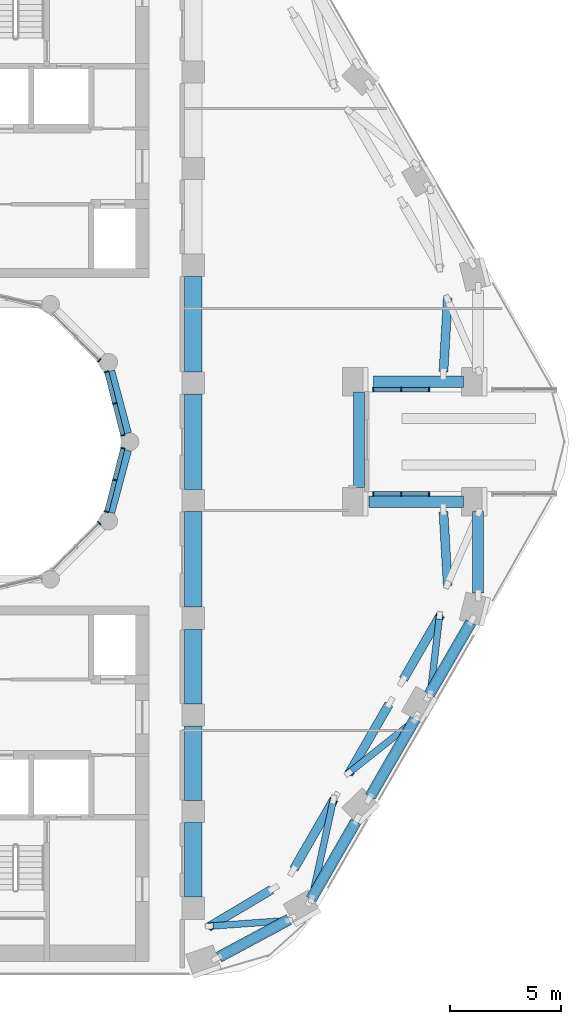
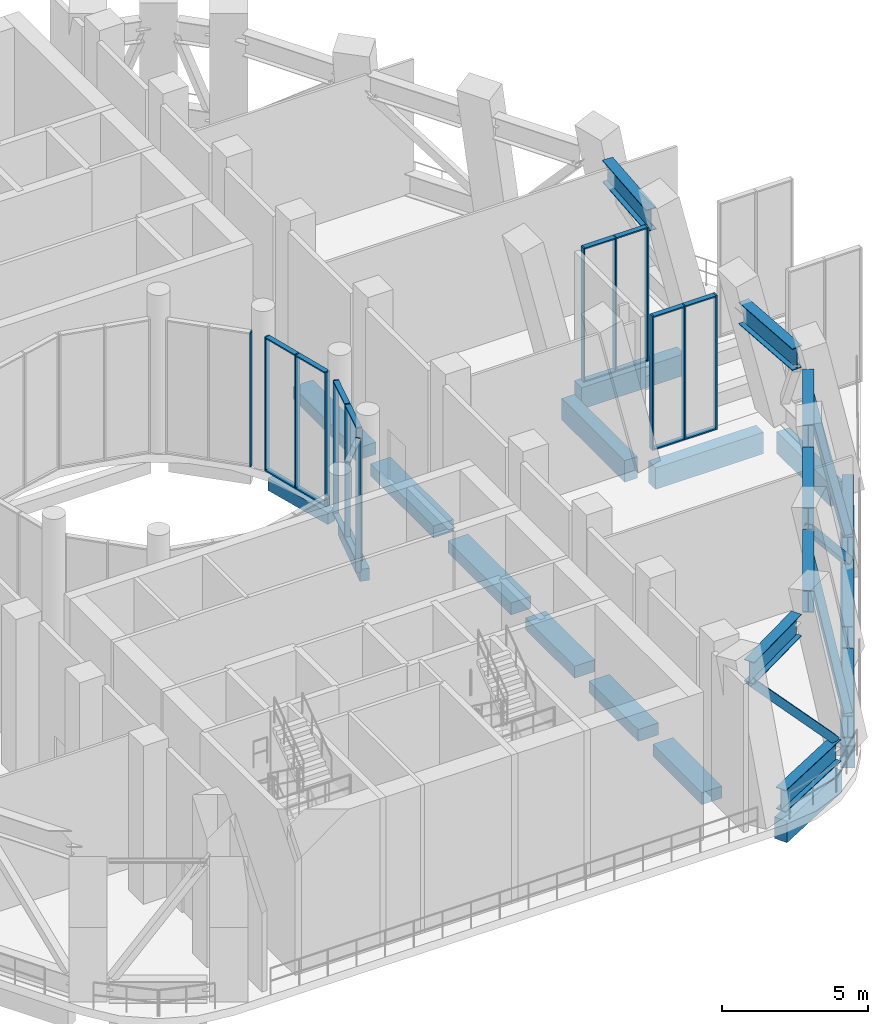
# One storey, part 4 of 19: 44 members, 16 beams, 6 elements without a shape of their own.
"""IFC4 building model written with IfcOpenShell, lengths in metres."""

from ifc_helpers import new_model, si_unit, direction, frame, origin, origin_2d, place, context, subcontext, project, spatial, rectangle, hollow_rectangle, i_section, extrude, material, layer, layer_set, material_profile, profile_set, type_object, element, aggregate, save


model = new_model("IFC4")

# Units and contexts
model_context = context("Model", 3, precision=1e-05, world=origin(), true_north=direction((0.0, 1.0)))
body_context = subcontext(model_context, "Body", "Model", "MODEL_VIEW")
ifc_project = project(units=[si_unit("LENGTHUNIT", "METRE"), si_unit("AREAUNIT", "SQUARE_METRE"), si_unit("VOLUMEUNIT", "CUBIC_METRE"), si_unit("PLANEANGLEUNIT", "RADIAN"), si_unit("MASSUNIT", "GRAM", prefix="KILO")], contexts=[model_context])

# Site, building, storey
site_placement = place(None, origin())
site = spatial("IfcSite", under=ifc_project, at=site_placement, CompositionType="ELEMENT")
building_placement = place(site_placement, origin())
building = spatial("IfcBuilding", under=site, at=building_placement, Name="Nakaniwa Court", CompositionType="ELEMENT")
storey_placement = place(building_placement, frame((0.0, 0.0, 170.10009765625)))
storey = spatial("IfcBuildingStorey", under=building, at=storey_placement, Name="S3", CompositionType="ELEMENT", Elevation=170.10009765625)

# Curtain wall, members
ifc_material_1 = material(Name="Black anodised aluminium frame with dark low-E laminated double glazing", Category="aluminium")
ifc_layer = layer(ifc_material_1, 0.199951171875)
ifc_layer_set = layer_set([ifc_layer], Name="Black anodised aluminium frame with dark low-E laminated double glazing")
curtain_wall_type = type_object("IfcCurtainWallType", Name="Amenity and sky level curtain wall", PredefinedType="NOTDEFINED", material=ifc_layer_set)
curtain_wall_1_placement = place(storey_placement, origin())
curtain_wall_1 = element("IfcCurtainWall", 1, at=curtain_wall_1_placement, inside=storey, type_object=curtain_wall_type, Name="S3 curtain wall CW3 36", PredefinedType="NOTDEFINED")
ifc_material_2 = material(Name="Black anodised aluminium extrusion", Category="aluminium")
ifc_material_profile_1 = material_profile(ifc_material_2, rectangle(XDim=0.199951171875, YDim=0.054931640625, at=origin_2d()), Name="Amenity and sky level curtain wall mullion 55x200")
ifc_profile_set_1 = profile_set([ifc_material_profile_1], Name="Black anodised aluminium extrusion")
member_type_1 = type_object("IfcMemberType", Name="Amenity and sky level curtain wall mullion 55x200", PredefinedType="MULLION", material=ifc_profile_set_1)
member_1_placement = place(storey_placement, frame((86.829345703125, 79.70947265625, 0.0), z_axis=(0.0, 0.0, 1.0), x_axis=(0.968986463302, -0.247113807661, 0.0)))
member_1 = element("IfcMember", 2, at=member_1_placement, type_object=member_type_1, Name="CW3 mullion 1", PredefinedType="MULLION", context=body_context, shape_type="SweptSolid", body=[
    extrude(rectangle(XDim=0.199951171875, YDim=0.054931640625, at=origin_2d()), origin(), (0.0, 0.0, 1.0), 5.58984375),
])
member_2_placement = place(storey_placement, frame((86.46435546875, 78.27783203125, 0.0), z_axis=(0.0, 0.0, 1.0), x_axis=(0.968986463302, -0.247113807661, 0.0)))
member_2 = element("IfcMember", 3, at=member_2_placement, type_object=member_type_1, Name="CW3 mullion 2", PredefinedType="MULLION", context=body_context, shape_type="SweptSolid", body=[
    extrude(rectangle(XDim=0.199951171875, YDim=0.054931640625, at=origin_2d()), origin(), (0.0, 0.0, 1.0), 5.58984375),
])
member_3_placement = place(storey_placement, frame((86.09912109375, 76.84619140625, 0.0), z_axis=(0.0, 0.0, 1.0), x_axis=(0.968986463302, -0.247113807661, 0.0)))
member_3 = element("IfcMember", 4, at=member_3_placement, type_object=member_type_1, Name="CW3 mullion 3", PredefinedType="MULLION", context=body_context, shape_type="SweptSolid", body=[
    extrude(rectangle(XDim=0.199951171875, YDim=0.054931640625, at=origin_2d()), origin(), (0.0, 0.0, 1.0), 5.58984375),
])

# Curtain wall, member
curtain_wall_2_placement = place(storey_placement, origin())
curtain_wall_2 = element("IfcCurtainWall", 5, at=curtain_wall_2_placement, inside=storey, type_object=curtain_wall_type, Name="S3 curtain wall CW3 37", PredefinedType="NOTDEFINED")
member_4_placement = place(storey_placement, frame((85.7685546875, 76.33740234375, 0.0), z_axis=(0.0, 0.0, 1.0), x_axis=(0.707106781187, -0.707106781187, 0.0)))
member_4 = element("IfcMember", 6, at=member_4_placement, type_object=member_type_1, Name="CW3 mullion 1", PredefinedType="MULLION", context=body_context, shape_type="SweptSolid", body=[
    extrude(rectangle(XDim=0.199951171875, YDim=0.054931640625, at=origin_2d()), origin(), (0.0, 0.0, 1.0), 5.58984375),
])
aggregate(curtain_wall_2, [member_4])

curtain_wall_3_placement = place(storey_placement, origin())
curtain_wall_3 = element("IfcCurtainWall", 7, at=curtain_wall_3_placement, inside=storey, type_object=curtain_wall_type, Name="S3 curtain wall CW3 46", PredefinedType="NOTDEFINED")
member_5_placement = place(storey_placement, frame((85.7685546875, 83.66259765625, 0.0), z_axis=(0.0, 0.0, 1.0), x_axis=(0.707106781187, 0.707106781187, 0.0)))
member_5 = element("IfcMember", 8, at=member_5_placement, type_object=member_type_1, Name="CW3 mullion 3", PredefinedType="MULLION", context=body_context, shape_type="SweptSolid", body=[
    extrude(rectangle(XDim=0.199951171875, YDim=0.054931640625, at=origin_2d()), origin(), (0.0, 0.0, 1.0), 5.58984375),
])
aggregate(curtain_wall_3, [member_5])

# Curtain wall, members
curtain_wall_4_placement = place(storey_placement, origin())
curtain_wall_4 = element("IfcCurtainWall", 9, at=curtain_wall_4_placement, inside=storey, type_object=curtain_wall_type, Name="S3 curtain wall CW3 47", PredefinedType="NOTDEFINED")
member_6_placement = place(storey_placement, frame((86.09912109375, 83.15380859375, 0.0), z_axis=(0.0, 0.0, 1.0), x_axis=(0.968986463302, 0.247113807661, 0.0)))
member_6 = element("IfcMember", 10, at=member_6_placement, type_object=member_type_1, Name="CW3 mullion 1", PredefinedType="MULLION", context=body_context, shape_type="SweptSolid", body=[
    extrude(rectangle(XDim=0.199951171875, YDim=0.054931640625, at=origin_2d()), origin(), (0.0, 0.0, 1.0), 5.58984375),
])
member_7_placement = place(storey_placement, frame((86.46435546875, 81.72216796875, 0.0), z_axis=(0.0, 0.0, 1.0), x_axis=(0.968986463302, 0.247113807661, 0.0)))
member_7 = element("IfcMember", 11, at=member_7_placement, type_object=member_type_1, Name="CW3 mullion 2", PredefinedType="MULLION", context=body_context, shape_type="SweptSolid", body=[
    extrude(rectangle(XDim=0.199951171875, YDim=0.054931640625, at=origin_2d()), origin(), (0.0, 0.0, 1.0), 5.58984375),
])
member_8_placement = place(storey_placement, frame((86.829345703125, 80.29052734375, 0.0), z_axis=(0.0, 0.0, 1.0), x_axis=(0.968986463302, 0.247113807661, 0.0)))
member_8 = element("IfcMember", 12, at=member_8_placement, type_object=member_type_1, Name="CW3 mullion 3", PredefinedType="MULLION", context=body_context, shape_type="SweptSolid", body=[
    extrude(rectangle(XDim=0.199951171875, YDim=0.054931640625, at=origin_2d()), origin(), (0.0, 0.0, 1.0), 5.58984375),
])

curtain_wall_5_placement = place(storey_placement, origin())
curtain_wall_5 = element("IfcCurtainWall", 13, at=curtain_wall_5_placement, inside=storey, type_object=curtain_wall_type, Name="S3 curtain wall CW3 00", PredefinedType="NOTDEFINED")
member_9_placement = place(storey_placement, frame((98.106201171875, 82.35009765625, 0.0), z_axis=(0.0, 0.0, 1.0), x_axis=(0.0, 1.0, 0.0)))
member_9 = element("IfcMember", 14, at=member_9_placement, type_object=member_type_1, Name="CW3 mullion 1", PredefinedType="MULLION", context=body_context, shape_type="SweptSolid", body=[
    extrude(rectangle(XDim=0.199951171875, YDim=0.054931640625, at=origin_2d()), origin(), (0.0, 0.0, 1.0), 5.58984375),
])
member_10_placement = place(storey_placement, frame((99.361083984375, 82.35009765625, 0.0), z_axis=(0.0, 0.0, 1.0), x_axis=(0.0, 1.0, 0.0)))
member_10 = element("IfcMember", 15, at=member_10_placement, type_object=member_type_1, Name="CW3 mullion 2", PredefinedType="MULLION", context=body_context, shape_type="SweptSolid", body=[
    extrude(rectangle(XDim=0.199951171875, YDim=0.054931640625, at=origin_2d()), origin(), (0.0, 0.0, 1.0), 5.58984375),
])
member_11_placement = place(storey_placement, frame((100.6162109375, 82.35009765625, 0.0), z_axis=(0.0, 0.0, 1.0), x_axis=(0.0, 1.0, 0.0)))
member_11 = element("IfcMember", 16, at=member_11_placement, type_object=member_type_1, Name="CW3 mullion 3", PredefinedType="MULLION", context=body_context, shape_type="SweptSolid", body=[
    extrude(rectangle(XDim=0.199951171875, YDim=0.054931640625, at=origin_2d()), origin(), (0.0, 0.0, 1.0), 5.58984375),
])

curtain_wall_6_placement = place(storey_placement, origin())
curtain_wall_6 = element("IfcCurtainWall", 17, at=curtain_wall_6_placement, inside=storey, type_object=curtain_wall_type, Name="S3 curtain wall CW3 34", PredefinedType="NOTDEFINED")
member_12_placement = place(storey_placement, frame((100.6162109375, 77.64990234375, 0.0), z_axis=(0.0, 0.0, 1.0), x_axis=(0.0, -1.0, 0.0)))
member_12 = element("IfcMember", 18, at=member_12_placement, type_object=member_type_1, Name="CW3 mullion 1", PredefinedType="MULLION", context=body_context, shape_type="SweptSolid", body=[
    extrude(rectangle(XDim=0.199951171875, YDim=0.054931640625, at=origin_2d()), origin(), (0.0, 0.0, 1.0), 5.58984375),
])
member_13_placement = place(storey_placement, frame((99.361083984375, 77.64990234375, 0.0), z_axis=(0.0, 0.0, 1.0), x_axis=(0.0, -1.0, 0.0)))
member_13 = element("IfcMember", 19, at=member_13_placement, type_object=member_type_1, Name="CW3 mullion 2", PredefinedType="MULLION", context=body_context, shape_type="SweptSolid", body=[
    extrude(rectangle(XDim=0.199951171875, YDim=0.054931640625, at=origin_2d()), origin(), (0.0, 0.0, 1.0), 5.58984375),
])
member_14_placement = place(storey_placement, frame((98.106201171875, 77.64990234375, 0.0), z_axis=(0.0, 0.0, 1.0), x_axis=(0.0, -1.0, 0.0)))
member_14 = element("IfcMember", 20, at=member_14_placement, type_object=member_type_1, Name="CW3 mullion 3", PredefinedType="MULLION", context=body_context, shape_type="SweptSolid", body=[
    extrude(rectangle(XDim=0.199951171875, YDim=0.054931640625, at=origin_2d()), origin(), (0.0, 0.0, 1.0), 5.58984375),
])

# Member
ifc_material_profile_2 = material_profile(ifc_material_2, rectangle(XDim=0.199951171875, YDim=0.054931640625, at=origin_2d()), Name="Amenity and sky level curtain wall transom 55x200")
ifc_profile_set_2 = profile_set([ifc_material_profile_2], Name="Black anodised aluminium extrusion")
member_type_2 = type_object("IfcMemberType", Name="Amenity and sky level curtain wall transom 55x200", PredefinedType="USERDEFINED", material=ifc_profile_set_2)
member_15_placement = place(storey_placement, frame((86.822509765625, 79.682861328125, 0.02734375), z_axis=(-0.24697526524, -0.969021784255, 0.0), x_axis=(0.969021784255, -0.24697526524, 0.0)))
member_15 = element("IfcMember", 21, at=member_15_placement, type_object=member_type_2, Name="CW3 transom 1.1", ObjectType="TRANSOM", PredefinedType="USERDEFINED", context=body_context, shape_type="SweptSolid", body=[
    extrude(rectangle(XDim=0.199951171875, YDim=0.054931640625, at=origin_2d()), origin(), (0.0, 0.0, 1.0), 1.42236328125),
])

member_16_placement = place(storey_placement, frame((86.822509765625, 79.682861328125, 5.5625), z_axis=(-0.24697526524, -0.969021784255, 0.0), x_axis=(0.969021784255, -0.24697526524, 0.0)))
member_16 = element("IfcMember", 22, at=member_16_placement, type_object=member_type_2, Name="CW3 transom 1.2", ObjectType="TRANSOM", PredefinedType="USERDEFINED", context=body_context, shape_type="SweptSolid", body=[
    extrude(rectangle(XDim=0.199951171875, YDim=0.054931640625, at=origin_2d()), origin(), (0.0, 0.0, 1.0), 1.42236328125),
])

member_17_placement = place(storey_placement, frame((86.45751953125, 78.251220703125, 0.02734375), z_axis=(-0.247136415914, -0.968980697398, 0.0), x_axis=(0.968980697398, -0.247136415914, 0.0)))
member_17 = element("IfcMember", 23, at=member_17_placement, type_object=member_type_2, Name="CW3 transom 2.1", ObjectType="TRANSOM", PredefinedType="USERDEFINED", context=body_context, shape_type="SweptSolid", body=[
    extrude(rectangle(XDim=0.199951171875, YDim=0.054931640625, at=origin_2d()), origin(), (0.0, 0.0, 1.0), 1.422607421875),
])

member_18_placement = place(storey_placement, frame((86.45751953125, 78.251220703125, 5.5625), z_axis=(-0.247136415914, -0.968980697398, 0.0), x_axis=(0.968980697398, -0.247136415914, 0.0)))
member_18 = element("IfcMember", 24, at=member_18_placement, type_object=member_type_2, Name="CW3 transom 2.2", ObjectType="TRANSOM", PredefinedType="USERDEFINED", context=body_context, shape_type="SweptSolid", body=[
    extrude(rectangle(XDim=0.199951171875, YDim=0.054931640625, at=origin_2d()), origin(), (0.0, 0.0, 1.0), 1.422607421875),
])

aggregate(curtain_wall_1, [member_1, member_2, member_3, member_15, member_16, member_17, member_18])

member_19_placement = place(storey_placement, frame((86.10595703125, 83.127197265625, 0.02734375), z_axis=(0.247136415914, -0.968980697398, 0.0), x_axis=(0.968980697398, 0.247136415914, 0.0)))
member_19 = element("IfcMember", 25, at=member_19_placement, type_object=member_type_2, Name="CW3 transom 1.1", ObjectType="TRANSOM", PredefinedType="USERDEFINED", context=body_context, shape_type="SweptSolid", body=[
    extrude(rectangle(XDim=0.199951171875, YDim=0.054931640625, at=origin_2d()), origin(), (0.0, 0.0, 1.0), 1.422607421875),
])

member_20_placement = place(storey_placement, frame((86.10595703125, 83.127197265625, 5.5625), z_axis=(0.247136415914, -0.968980697398, 0.0), x_axis=(0.968980697398, 0.247136415914, 0.0)))
member_20 = element("IfcMember", 26, at=member_20_placement, type_object=member_type_2, Name="CW3 transom 1.2", ObjectType="TRANSOM", PredefinedType="USERDEFINED", context=body_context, shape_type="SweptSolid", body=[
    extrude(rectangle(XDim=0.199951171875, YDim=0.054931640625, at=origin_2d()), origin(), (0.0, 0.0, 1.0), 1.422607421875),
])

member_21_placement = place(storey_placement, frame((86.47119140625, 81.695556640625, 0.02734375), z_axis=(0.24697526524, -0.969021784255, 0.0), x_axis=(0.969021784255, 0.24697526524, 0.0)))
member_21 = element("IfcMember", 27, at=member_21_placement, type_object=member_type_2, Name="CW3 transom 2.1", ObjectType="TRANSOM", PredefinedType="USERDEFINED", context=body_context, shape_type="SweptSolid", body=[
    extrude(rectangle(XDim=0.199951171875, YDim=0.054931640625, at=origin_2d()), origin(), (0.0, 0.0, 1.0), 1.42236328125),
])

member_22_placement = place(storey_placement, frame((86.47119140625, 81.695556640625, 5.5625), z_axis=(0.24697526524, -0.969021784255, 0.0), x_axis=(0.969021784255, 0.24697526524, 0.0)))
member_22 = element("IfcMember", 28, at=member_22_placement, type_object=member_type_2, Name="CW3 transom 2.2", ObjectType="TRANSOM", PredefinedType="USERDEFINED", context=body_context, shape_type="SweptSolid", body=[
    extrude(rectangle(XDim=0.199951171875, YDim=0.054931640625, at=origin_2d()), origin(), (0.0, 0.0, 1.0), 1.42236328125),
])

aggregate(curtain_wall_4, [member_6, member_7, member_8, member_19, member_20, member_21, member_22])

member_23_placement = place(storey_placement, frame((98.1337890625, 82.35009765625, 0.02734375), z_axis=(1.0, 0.0, 0.0), x_axis=(0.0, 1.0, 0.0)))
member_23 = element("IfcMember", 29, at=member_23_placement, type_object=member_type_2, Name="CW3 transom 1.1", ObjectType="TRANSOM", PredefinedType="USERDEFINED", context=body_context, shape_type="SweptSolid", body=[
    extrude(rectangle(XDim=0.199951171875, YDim=0.054931640625, at=origin_2d()), origin(), (0.0, 0.0, 1.0), 1.199951171875),
])

member_24_placement = place(storey_placement, frame((98.1337890625, 82.35009765625, 5.5625), z_axis=(1.0, 0.0, 0.0), x_axis=(0.0, 1.0, 0.0)))
member_24 = element("IfcMember", 30, at=member_24_placement, type_object=member_type_2, Name="CW3 transom 1.2", ObjectType="TRANSOM", PredefinedType="USERDEFINED", context=body_context, shape_type="SweptSolid", body=[
    extrude(rectangle(XDim=0.199951171875, YDim=0.054931640625, at=origin_2d()), origin(), (0.0, 0.0, 1.0), 1.199951171875),
])

member_25_placement = place(storey_placement, frame((99.388671875, 82.35009765625, 0.02734375), z_axis=(1.0, 0.0, 0.0), x_axis=(0.0, 1.0, 0.0)))
member_25 = element("IfcMember", 31, at=member_25_placement, type_object=member_type_2, Name="CW3 transom 2.1", ObjectType="TRANSOM", PredefinedType="USERDEFINED", context=body_context, shape_type="SweptSolid", body=[
    extrude(rectangle(XDim=0.199951171875, YDim=0.054931640625, at=origin_2d()), origin(), (0.0, 0.0, 1.0), 1.199951171875),
])

member_26_placement = place(storey_placement, frame((99.388671875, 82.35009765625, 5.5625), z_axis=(1.0, 0.0, 0.0), x_axis=(0.0, 1.0, 0.0)))
member_26 = element("IfcMember", 32, at=member_26_placement, type_object=member_type_2, Name="CW3 transom 2.2", ObjectType="TRANSOM", PredefinedType="USERDEFINED", context=body_context, shape_type="SweptSolid", body=[
    extrude(rectangle(XDim=0.199951171875, YDim=0.054931640625, at=origin_2d()), origin(), (0.0, 0.0, 1.0), 1.199951171875),
])

aggregate(curtain_wall_5, [member_9, member_10, member_11, member_23, member_24, member_25, member_26])

member_27_placement = place(storey_placement, frame((100.588623046875, 77.64990234375, 0.02734375), z_axis=(-1.0, 0.0, 0.0), x_axis=(0.0, -1.0, 0.0)))
member_27 = element("IfcMember", 33, at=member_27_placement, type_object=member_type_2, Name="CW3 transom 1.1", ObjectType="TRANSOM", PredefinedType="USERDEFINED", context=body_context, shape_type="SweptSolid", body=[
    extrude(rectangle(XDim=0.199951171875, YDim=0.054931640625, at=origin_2d()), origin(), (0.0, 0.0, 1.0), 1.199951171875),
])

member_28_placement = place(storey_placement, frame((100.588623046875, 77.64990234375, 5.5625), z_axis=(-1.0, 0.0, 0.0), x_axis=(0.0, -1.0, 0.0)))
member_28 = element("IfcMember", 34, at=member_28_placement, type_object=member_type_2, Name="CW3 transom 1.2", ObjectType="TRANSOM", PredefinedType="USERDEFINED", context=body_context, shape_type="SweptSolid", body=[
    extrude(rectangle(XDim=0.199951171875, YDim=0.054931640625, at=origin_2d()), origin(), (0.0, 0.0, 1.0), 1.199951171875),
])

member_29_placement = place(storey_placement, frame((99.333740234375, 77.64990234375, 0.02734375), z_axis=(-1.0, 0.0, 0.0), x_axis=(0.0, -1.0, 0.0)))
member_29 = element("IfcMember", 35, at=member_29_placement, type_object=member_type_2, Name="CW3 transom 2.1", ObjectType="TRANSOM", PredefinedType="USERDEFINED", context=body_context, shape_type="SweptSolid", body=[
    extrude(rectangle(XDim=0.199951171875, YDim=0.054931640625, at=origin_2d()), origin(), (0.0, 0.0, 1.0), 1.199951171875),
])

member_30_placement = place(storey_placement, frame((99.333740234375, 77.64990234375, 5.5625), z_axis=(-1.0, 0.0, 0.0), x_axis=(0.0, -1.0, 0.0)))
member_30 = element("IfcMember", 36, at=member_30_placement, type_object=member_type_2, Name="CW3 transom 2.2", ObjectType="TRANSOM", PredefinedType="USERDEFINED", context=body_context, shape_type="SweptSolid", body=[
    extrude(rectangle(XDim=0.199951171875, YDim=0.054931640625, at=origin_2d()), origin(), (0.0, 0.0, 1.0), 1.199951171875),
])

aggregate(curtain_wall_6, [member_12, member_13, member_14, member_27, member_28, member_29, member_30])

# Members
ifc_material_3 = material(Name="Steel Grade 350", Category="steel")
ifc_material_profile_3 = material_profile(ifc_material_3, i_section(OverallWidth=0.39990234375, OverallDepth=0.916015625, WebThickness=0.011962890625, FlangeThickness=0.028076171875, at=origin_2d()), Name="900WB257")
ifc_profile_set_3 = profile_set([ifc_material_profile_3], Name="Steel Grade 350")
member_type_3 = type_object("IfcMemberType", Name="BELT chord 900 WB257", PredefinedType="CHORD", material=ifc_profile_set_3)
member_31_placement = place(storey_placement, frame((91.156982421875, 56.798583984375, 0.4580078125), z_axis=(0.881239336512, 0.472670320397, 0.0), x_axis=(-0.472670320397, 0.881239336512, 0.0)))
element("IfcMember", 37, at=member_31_placement, inside=storey, type_object=member_type_3, Name="BELT CHORD BT-12-B", PredefinedType="CHORD", context=body_context, shape_type="SweptSolid", body=[
    extrude(i_section(OverallWidth=0.39990234375, OverallDepth=0.916015625, WebThickness=0.011962890625, FlangeThickness=0.028076171875, at=origin_2d()), origin(), (0.0, 0.0, 1.0), 3.576416015625),
])
member_32_placement = place(storey_placement, frame((90.689453125, 58.148681640625, 5.1318359375), z_axis=(0.859286699947, 0.511494249522, 0.0), x_axis=(-0.511494249522, 0.859286699947, 0.0)))
element("IfcMember", 38, at=member_32_placement, inside=storey, type_object=member_type_3, Name="BELT CHORD BT-12-T", PredefinedType="CHORD", context=body_context, shape_type="SweptSolid", body=[
    extrude(i_section(OverallWidth=0.39990234375, OverallDepth=0.916015625, WebThickness=0.011962890625, FlangeThickness=0.028076171875, at=origin_2d()), origin(), (0.0, 0.0, 1.0), 3.304931640625),
])
member_33_placement = place(storey_placement, frame((95.3076171875, 59.413330078125, 0.4580078125), z_axis=(0.499993669216, 0.866029058833, 0.0), x_axis=(-0.866029058833, 0.499993669216, 0.0)))
element("IfcMember", 39, at=member_33_placement, inside=storey, type_object=member_type_3, Name="BELT CHORD BT-13-B", PredefinedType="CHORD", context=body_context, shape_type="SweptSolid", body=[
    extrude(i_section(OverallWidth=0.39990234375, OverallDepth=0.916015625, WebThickness=0.011962890625, FlangeThickness=0.028076171875, at=origin_2d()), origin(), (0.0, 0.0, 1.0), 4.02587890625),
])
member_34_placement = place(storey_placement, frame((94.528076171875, 60.763427734375, 5.1318359375), z_axis=(0.499987858329, 0.866032413668, 0.0), x_axis=(-0.866032413668, 0.499987858329, 0.0)))
element("IfcMember", 40, at=member_34_placement, inside=storey, type_object=member_type_3, Name="BELT CHORD BT-13-T", PredefinedType="CHORD", context=body_context, shape_type="SweptSolid", body=[
    extrude(i_section(OverallWidth=0.39990234375, OverallDepth=0.916015625, WebThickness=0.011962890625, FlangeThickness=0.028076171875, at=origin_2d()), origin(), (0.0, 0.0, 1.0), 3.63623046875),
])
member_35_placement = place(storey_placement, frame((97.970458984375, 64.02587890625, 0.4580078125), z_axis=(0.499993669216, 0.866029058833, 0.0), x_axis=(-0.866029058833, 0.499993669216, 0.0)))
element("IfcMember", 41, at=member_35_placement, inside=storey, type_object=member_type_3, Name="BELT CHORD BT-14-B", PredefinedType="CHORD", context=body_context, shape_type="SweptSolid", body=[
    extrude(i_section(OverallWidth=0.39990234375, OverallDepth=0.916015625, WebThickness=0.011962890625, FlangeThickness=0.028076171875, at=origin_2d()), origin(), (0.0, 0.0, 1.0), 4.02587890625),
])
member_36_placement = place(storey_placement, frame((96.99609375, 65.038330078125, 5.1318359375), z_axis=(0.499987858329, 0.866032413668, 0.0), x_axis=(-0.866032413668, 0.499987858329, 0.0)))
element("IfcMember", 42, at=member_36_placement, inside=storey, type_object=member_type_3, Name="BELT CHORD BT-14-T", PredefinedType="CHORD", context=body_context, shape_type="SweptSolid", body=[
    extrude(i_section(OverallWidth=0.39990234375, OverallDepth=0.916015625, WebThickness=0.011962890625, FlangeThickness=0.028076171875, at=origin_2d()), origin(), (0.0, 0.0, 1.0), 3.63623046875),
])
member_37_placement = place(storey_placement, frame((100.63330078125, 68.63818359375, 0.4580078125), z_axis=(0.50001905207, 0.866014403787, 0.0), x_axis=(-0.866014403787, 0.50001905207, 0.0)))
element("IfcMember", 43, at=member_37_placement, inside=storey, type_object=member_type_3, Name="BELT CHORD BT-15-B", PredefinedType="CHORD", context=body_context, shape_type="SweptSolid", body=[
    extrude(i_section(OverallWidth=0.39990234375, OverallDepth=0.916015625, WebThickness=0.011962890625, FlangeThickness=0.028076171875, at=origin_2d()), origin(), (0.0, 0.0, 1.0), 3.728759765625),
])
member_38_placement = place(storey_placement, frame((99.46435546875, 69.313232421875, 5.1318359375), z_axis=(0.499992509511, 0.866029728377, 0.0), x_axis=(-0.866029728377, 0.499992509511, 0.0)))
element("IfcMember", 44, at=member_38_placement, inside=storey, type_object=member_type_3, Name="BELT CHORD BT-15-T", PredefinedType="CHORD", context=body_context, shape_type="SweptSolid", body=[
    extrude(i_section(OverallWidth=0.39990234375, OverallDepth=0.916015625, WebThickness=0.011962890625, FlangeThickness=0.028076171875, at=origin_2d()), origin(), (0.0, 0.0, 1.0), 3.3388671875),
])
for number, where, z_axis, x_axis, name in (
    (45, (101.458984375, 73.518310546875, 5.1318359375), (-0.058447577695, 0.9982904791, 0.0), (-0.9982904791, -0.058447577695, 0.0), "BELT CHORD BT-16-T"),
    (46, (101.263916015625, 83.14990234375, 5.1318359375), (0.058447577695, 0.9982904791, 0.0), (-0.9982904791, 0.058447577695, 0.0), "BELT CHORD BT-17-T"),
):
    element("IfcMember", number, at=place(storey_placement, frame(where, z_axis=z_axis, x_axis=x_axis)), inside=storey, type_object=member_type_3, Name=name, PredefinedType="CHORD", context=body_context, shape_type="SweptSolid", body=[
        extrude(i_section(OverallWidth=0.39990234375, OverallDepth=0.916015625, WebThickness=0.011962890625, FlangeThickness=0.028076171875, at=origin_2d()), origin(), (0.0, 0.0, 1.0), 3.33740234375),
    ])
ifc_material_profile_4 = material_profile(ifc_material_3, hollow_rectangle(XDim=0.300048828125, YDim=0.300048828125, WallThickness=0.010009765625, at=origin_2d()), Name="BELT diagonal 300x300x10 SHS")
ifc_profile_set_4 = profile_set([ifc_material_profile_4], Name="Steel Grade 350")
member_type_4 = type_object("IfcMemberType", Name="BELT diagonal 300x300x10 SHS", PredefinedType="BRACE", material=ifc_profile_set_4)
member_39_placement = place(storey_placement, frame((90.777587890625, 58.19580078125, 4.673828125), z_axis=(0.674747553254, 0.048230430696, -0.736471021109), x_axis=(-0.071297315913, 0.997455108135, 0.0)))
element("IfcMember", 47, at=member_39_placement, inside=storey, type_object=member_type_4, Name="BELT DIAGONAL BT-12-D", PredefinedType="BRACE", context=body_context, shape_type="SweptSolid", body=[
    extrude(hollow_rectangle(XDim=0.300048828125, YDim=0.300048828125, WallThickness=0.010009765625, at=origin_2d()), origin(), (0.0, 0.0, 1.0), 5.1025390625),
])
member_40_placement = place(storey_placement, frame((95.357421875, 59.5, 0.916015625), z_axis=(0.161665876058, 0.745008493594, 0.647168053129), x_axis=(-0.977255938562, 0.212063270149, 0.0)))
element("IfcMember", 48, at=member_40_placement, inside=storey, type_object=member_type_4, Name="BELT DIAGONAL BT-13-D", PredefinedType="BRACE", context=body_context, shape_type="SweptSolid", body=[
    extrude(hollow_rectangle(XDim=0.300048828125, YDim=0.300048828125, WallThickness=0.010009765625, at=origin_2d()), origin(), (0.0, 0.0, 1.0), 5.806640625),
])
member_41_placement = place(storey_placement, frame((97.046142578125, 65.125, 4.673828125), z_axis=(0.548076081022, 0.436755368472, -0.713342384499), x_axis=(-0.623210024771, 0.78205451538, 0.0)))
element("IfcMember", 49, at=member_41_placement, inside=storey, type_object=member_type_4, Name="BELT DIAGONAL BT-14-D", PredefinedType="BRACE", context=body_context, shape_type="SweptSolid", body=[
    extrude(hollow_rectangle(XDim=0.300048828125, YDim=0.300048828125, WallThickness=0.010009765625, at=origin_2d()), origin(), (0.0, 0.0, 1.0), 5.267822265625),
])
member_42_placement = place(storey_placement, frame((100.683349609375, 68.724853515625, 0.916015625), z_axis=(0.078878138729, 0.668132924029, 0.739849062349), x_axis=(-0.993103217199, 0.117243336649, 0.0)))
element("IfcMember", 50, at=member_42_placement, inside=storey, type_object=member_type_4, Name="BELT DIAGONAL BT-15-D", PredefinedType="BRACE", context=body_context, shape_type="SweptSolid", body=[
    extrude(hollow_rectangle(XDim=0.300048828125, YDim=0.300048828125, WallThickness=0.010009765625, at=origin_2d()), origin(), (0.0, 0.0, 1.0), 5.0791015625),
])

# Beams
ifc_material_4 = material(Name="Concrete C80/100", Category="concrete")
ifc_material_profile_5 = material_profile(ifc_material_4, rectangle(XDim=0.35009765625, YDim=0.5, at=origin_2d()), Name="Concrete C80/100 RC 350x500 ring beam")
ifc_profile_set_5 = profile_set([ifc_material_profile_5], Name="Concrete C80/100")
beam_type_1 = type_object("IfcBeamType", Name="Concrete C80/100 RC 350x500 ring beam", PredefinedType="BEAM", material=ifc_profile_set_5)
for number, where, z_axis, x_axis, name in (
    (51, (87.04638671875, 80.386474609375, -0.60009765625), (-0.258778150207, 0.965936783115, 0.0), (-0.965936783115, -0.258778150207, 0.0), "RING BEAM"),
    (52, (86.295654296875, 76.811279296875, -0.60009765625), (0.258778150207, 0.965936783115, 0.0), (-0.965936783115, 0.258778150207, 0.0), "RING BEAM"),
):
    element("IfcBeam", number, at=place(storey_placement, frame(where, z_axis=z_axis, x_axis=x_axis)), inside=storey, type_object=beam_type_1, Name=name, PredefinedType="BEAM", context=body_context, shape_type="SweptSolid", body=[
        extrude(rectangle(XDim=0.35009765625, YDim=0.5, at=origin_2d()), origin(), (0.0, 0.0, 1.0), 2.901123046875),
    ])
ifc_material_profile_6 = material_profile(ifc_material_4, rectangle(XDim=0.5, YDim=0.89990234375, at=origin_2d()), Name="Concrete C80/100 RC 500x900 spandrel beam")
ifc_profile_set_6 = profile_set([ifc_material_profile_6], Name="Concrete C80/100")
beam_type_2 = type_object("IfcBeamType", Name="Concrete C80/100 RC 500x900 spandrel beam", PredefinedType="BEAM", material=ifc_profile_set_6)
beam_1_placement = place(storey_placement, frame((91.156982421875, 56.798583984375, -0.800048828125), z_axis=(0.881239336512, 0.472670320397, 0.0), x_axis=(-0.472670320397, 0.881239336512, 0.0)))
element("IfcBeam", 53, at=beam_1_placement, inside=storey, type_object=beam_type_2, Name="SPANDREL BEAM", PredefinedType="BEAM", context=body_context, shape_type="SweptSolid", body=[
    extrude(rectangle(XDim=0.5, YDim=0.89990234375, at=origin_2d()), origin(), (0.0, 0.0, 1.0), 3.576416015625),
])
for number, where, z_axis, x_axis, name in (
    (54, (95.3076171875, 59.413330078125, -0.800048828125), (0.499993669216, 0.866029058833, 0.0), (-0.866029058833, 0.499993669216, 0.0), "SPANDREL BEAM"),
    (55, (97.970458984375, 64.02587890625, -0.800048828125), (0.499993669216, 0.866029058833, 0.0), (-0.866029058833, 0.499993669216, 0.0), "SPANDREL BEAM"),
):
    element("IfcBeam", number, at=place(storey_placement, frame(where, z_axis=z_axis, x_axis=x_axis)), inside=storey, type_object=beam_type_2, Name=name, PredefinedType="BEAM", context=body_context, shape_type="SweptSolid", body=[
        extrude(rectangle(XDim=0.5, YDim=0.89990234375, at=origin_2d()), origin(), (0.0, 0.0, 1.0), 4.02587890625),
    ])
beam_2_placement = place(storey_placement, frame((100.63330078125, 68.63818359375, -0.800048828125), z_axis=(0.50001905207, 0.866014403787, 0.0), x_axis=(-0.866014403787, 0.50001905207, 0.0)))
element("IfcBeam", 56, at=beam_2_placement, inside=storey, type_object=beam_type_2, Name="SPANDREL BEAM", PredefinedType="BEAM", context=body_context, shape_type="SweptSolid", body=[
    extrude(rectangle(XDim=0.5, YDim=0.89990234375, at=origin_2d()), origin(), (0.0, 0.0, 1.0), 3.728759765625),
])
beam_3_placement = place(storey_placement, frame((102.822998046875, 73.180908203125, -0.800048828125), z_axis=(0.0, 1.0, 0.0), x_axis=(-1.0, 0.0, 0.0)))
element("IfcBeam", 57, at=beam_3_placement, inside=storey, type_object=beam_type_2, Name="SPANDREL BEAM", PredefinedType="BEAM", context=body_context, shape_type="SweptSolid", body=[
    extrude(rectangle(XDim=0.5, YDim=0.89990234375, at=origin_2d()), origin(), (0.0, 0.0, 1.0), 3.669189453125),
])
beam_4_placement = place(storey_placement, frame((102.1728515625, 77.300048828125, -0.800048828125), z_axis=(-1.0, 0.0, 0.0), x_axis=(0.0, -1.0, 0.0)))
element("IfcBeam", 58, at=beam_4_placement, inside=storey, type_object=beam_type_2, Name="SPANDREL BEAM", PredefinedType="BEAM", context=body_context, shape_type="SweptSolid", body=[
    extrude(rectangle(XDim=0.5, YDim=0.89990234375, at=origin_2d()), origin(), (0.0, 0.0, 1.0), 4.264404296875),
])
beam_5_placement = place(storey_placement, frame((97.45849609375, 77.949951171875, -0.800048828125), z_axis=(0.0, 1.0, 0.0), x_axis=(-1.0, 0.0, 0.0)))
element("IfcBeam", 59, at=beam_5_placement, inside=storey, type_object=beam_type_2, Name="SPANDREL BEAM", PredefinedType="BEAM", context=body_context, shape_type="SweptSolid", body=[
    extrude(rectangle(XDim=0.5, YDim=0.89990234375, at=origin_2d()), origin(), (0.0, 0.0, 1.0), 4.300048828125),
])
beam_6_placement = place(storey_placement, frame((98.1083984375, 82.699951171875, -0.800048828125), z_axis=(1.0, 0.0, 0.0), x_axis=(0.0, 1.0, 0.0)))
element("IfcBeam", 60, at=beam_6_placement, inside=storey, type_object=beam_type_2, Name="SPANDREL BEAM", PredefinedType="BEAM", context=body_context, shape_type="SweptSolid", body=[
    extrude(rectangle(XDim=0.5, YDim=0.89990234375, at=origin_2d()), origin(), (0.0, 0.0, 1.0), 4.064453125),
])
ifc_material_profile_7 = material_profile(ifc_material_4, rectangle(XDim=0.800048828125, YDim=0.5, at=origin_2d()), Name="Concrete C80/100 RC 800x500 ring beam")
ifc_profile_set_7 = profile_set([ifc_material_profile_7], Name="Concrete C80/100")
beam_type_3 = type_object("IfcBeamType", Name="Concrete C80/100 RC 800x500 ring beam", PredefinedType="BEAM", material=ifc_profile_set_7)
beam_7_placement = place(storey_placement, frame((90.0, 59.5, -0.60009765625), z_axis=(0.0, 1.0, 0.0), x_axis=(-1.0, 0.0, 0.0)))
element("IfcBeam", 61, at=beam_7_placement, inside=storey, type_object=beam_type_3, Name="RING BEAM", PredefinedType="BEAM", context=body_context, shape_type="SweptSolid", body=[
    extrude(rectangle(XDim=0.800048828125, YDim=0.5, at=origin_2d()), origin(), (0.0, 0.0, 1.0), 3.35009765625),
])
beam_8_placement = place(storey_placement, frame((90.0, 63.85009765625, -0.60009765625), z_axis=(0.0, 1.0, 0.0), x_axis=(-1.0, 0.0, 0.0)))
element("IfcBeam", 62, at=beam_8_placement, inside=storey, type_object=beam_type_3, Name="RING BEAM", PredefinedType="BEAM", context=body_context, shape_type="SweptSolid", body=[
    extrude(rectangle(XDim=0.800048828125, YDim=0.5, at=origin_2d()), origin(), (0.0, 0.0, 1.0), 3.349853515625),
])
beam_9_placement = place(storey_placement, frame((90.0, 68.199951171875, -0.60009765625), z_axis=(0.0, 1.0, 0.0), x_axis=(-1.0, 0.0, 0.0)))
element("IfcBeam", 63, at=beam_9_placement, inside=storey, type_object=beam_type_3, Name="RING BEAM", PredefinedType="BEAM", context=body_context, shape_type="SweptSolid", body=[
    extrude(rectangle(XDim=0.800048828125, YDim=0.5, at=origin_2d()), origin(), (0.0, 0.0, 1.0), 3.35009765625),
])
beam_10_placement = place(storey_placement, frame((90.0, 72.550048828125, -0.60009765625), z_axis=(0.0, 1.0, 0.0), x_axis=(-1.0, 0.0, 0.0)))
element("IfcBeam", 64, at=beam_10_placement, inside=storey, type_object=beam_type_3, Name="RING BEAM", PredefinedType="BEAM", context=body_context, shape_type="SweptSolid", body=[
    extrude(rectangle(XDim=0.800048828125, YDim=0.5, at=origin_2d()), origin(), (0.0, 0.0, 1.0), 4.300048828125),
])
beam_11_placement = place(storey_placement, frame((90.0, 77.85009765625, -0.60009765625), z_axis=(0.0, 1.0, 0.0), x_axis=(-1.0, 0.0, 0.0)))
element("IfcBeam", 65, at=beam_11_placement, inside=storey, type_object=beam_type_3, Name="RING BEAM", PredefinedType="BEAM", context=body_context, shape_type="SweptSolid", body=[
    extrude(rectangle(XDim=0.800048828125, YDim=0.5, at=origin_2d()), origin(), (0.0, 0.0, 1.0), 4.2998046875),
])
beam_12_placement = place(storey_placement, frame((90.0, 83.14990234375, -0.60009765625), z_axis=(0.0, 1.0, 0.0), x_axis=(-1.0, 0.0, 0.0)))
element("IfcBeam", 66, at=beam_12_placement, inside=storey, type_object=beam_type_3, Name="RING BEAM", PredefinedType="BEAM", context=body_context, shape_type="SweptSolid", body=[
    extrude(rectangle(XDim=0.800048828125, YDim=0.5, at=origin_2d()), origin(), (0.0, 0.0, 1.0), 4.300048828125),
])

save(model, "model.ifc")
